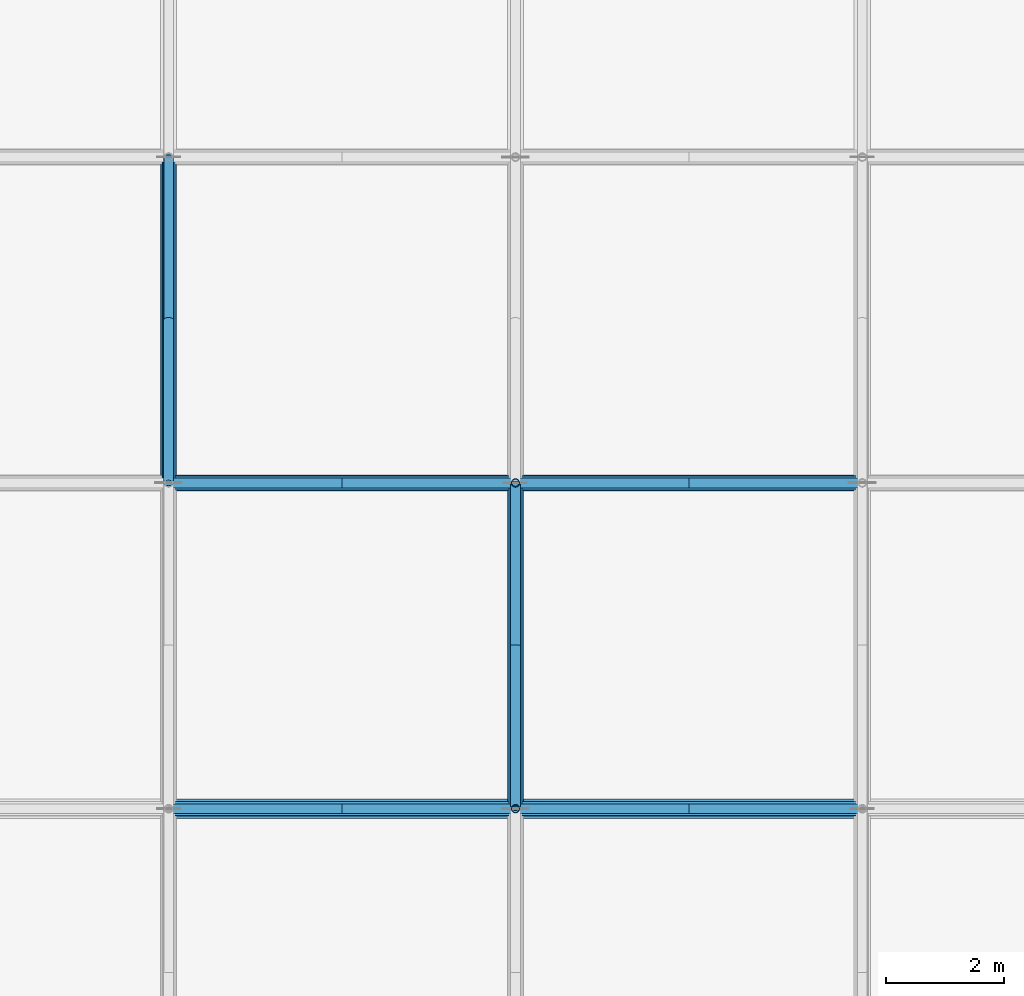
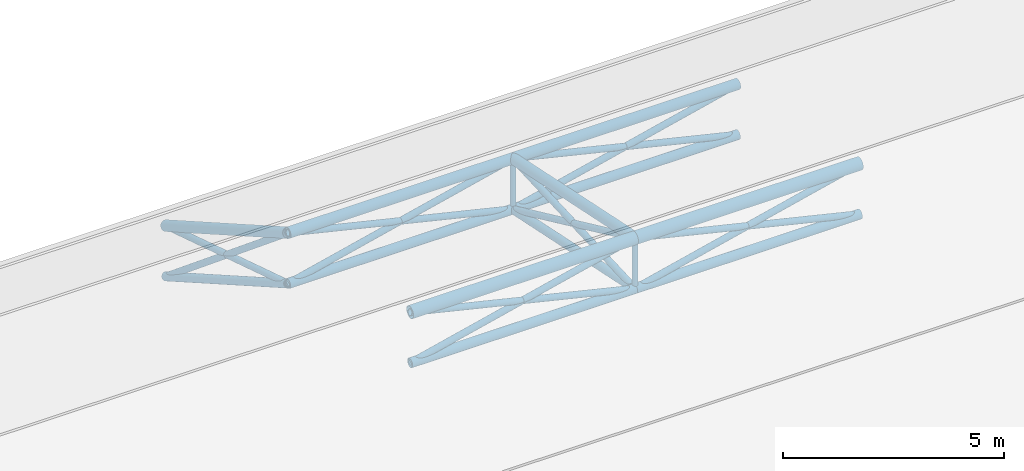
# One storey, part 9 of 82: 26 members.
"""IFC4 building model written with IfcOpenShell, lengths in metres."""

import ifcopenshell
import ifcopenshell.guid

model = None  # the IFC model being written
_history = None  # IfcOwnerHistory: only IFC2X3 demands one
_inside = {}  # id of a spatial element -> (the spatial element, [elements in it])
_under = {}  # id of a project, library or spatial element -> (it, [spatial elements below it])
_declared = {}  # id of a project -> (the project, [libraries it declares])
_typed = {}  # id of a type object -> (the type object, [elements of that type])
_made_of = {}  # id of a material, layer set ... -> (it, [elements and type objects made of it])


def new_model(schema):
    """Start an empty IFC model of exactly this schema.

    Asked for "IFC4X3", IfcOpenShell would pick the latest addendum, in which some entities
    have other attributes; the version numbers below select the first issue.
    IFC2X3 requires an IfcOwnerHistory on every rooted entity: one is made here for all.
    """
    global model, _history
    if schema == "IFC4X3":
        model = ifcopenshell.file(schema_version=(4, 3, 0, 0))
    else:
        model = ifcopenshell.file(schema=schema)
    _inside.clear()
    _under.clear()
    _declared.clear()
    _typed.clear()
    _made_of.clear()
    _history = None
    if model.schema == "IFC2X3":
        org = make("IfcOrganization", Name="unknown")
        user = make(
            "IfcPersonAndOrganization",
            ThePerson=make("IfcPerson", FamilyName="unknown"),
            TheOrganization=org,
        )
        app = make(
            "IfcApplication",
            ApplicationDeveloper=org,
            Version="unknown",
            ApplicationFullName="unknown",
            ApplicationIdentifier="unknown",
        )
        _history = make(
            "IfcOwnerHistory",
            OwningUser=user,
            OwningApplication=app,
            ChangeAction="ADDED",
            CreationDate=0,
        )
    return model


def make(cls, **values):
    """One entity of the class cls with the attributes given. An attribute that is None is left unset."""
    return model.create_entity(
        cls, **{name: value for name, value in values.items() if value is not None}
    )


def rooted(cls, **values):
    """An entity with a GlobalId (a new one), such as an element, a storey or a relation."""
    return make(cls, GlobalId=ifcopenshell.guid.new(), OwnerHistory=_history, **values)


def si_unit(unit_type, name, prefix=None):
    """IfcSIUnit, for example si_unit("LENGTHUNIT", "METRE", prefix="MILLI")."""
    return make("IfcSIUnit", UnitType=unit_type, Prefix=prefix, Name=name)


def assignment(units):
    """IfcUnitAssignment: the units of a project."""
    return None if units is None else make("IfcUnitAssignment", Units=units)


def point(xyz):
    """IfcCartesianPoint."""
    return None if xyz is None else make("IfcCartesianPoint", Coordinates=xyz)


def direction(xyz):
    """IfcDirection."""
    return None if xyz is None else make("IfcDirection", DirectionRatios=xyz)


def frame(location, z_axis=None, x_axis=None):
    """IfcAxis2Placement3D, a coordinate frame: its origin and axes. An axis left out is left unset."""
    return make(
        "IfcAxis2Placement3D",
        Location=point(location),
        Axis=direction(z_axis),
        RefDirection=direction(x_axis),
    )


def frame_2d(location, x_axis=None):
    """IfcAxis2Placement2D, a coordinate frame in the plane: its origin and x axis."""
    return make(
        "IfcAxis2Placement2D", Location=point(location), RefDirection=direction(x_axis)
    )


def origin():
    """The frame at (0, 0, 0) with its axes left unset."""
    return frame((0.0, 0.0, 0.0))


def origin_2d():
    """The frame at (0, 0) in the plane with its x axis left unset."""
    return frame_2d((0.0, 0.0))


def place(relative_to, where):
    """IfcLocalPlacement: puts the frame where relative to a parent placement (None: the world)."""
    return make(
        "IfcLocalPlacement", PlacementRelTo=relative_to, RelativePlacement=where
    )


def context(
    kind, dimensions, precision=None, world=None, true_north=None, identifier=None
):
    """IfcGeometricRepresentationContext, for example the 3D "Model" context."""
    return make(
        "IfcGeometricRepresentationContext",
        ContextIdentifier=identifier,
        ContextType=kind,
        CoordinateSpaceDimension=dimensions,
        Precision=precision,
        WorldCoordinateSystem=world,
        TrueNorth=true_north,
    )


def subcontext(parent, identifier, kind, view, scale=None):
    """IfcGeometricRepresentationSubContext, for example "Body" below "Model"."""
    return make(
        "IfcGeometricRepresentationSubContext",
        ContextIdentifier=identifier,
        ContextType=kind,
        ParentContext=parent,
        TargetScale=scale,
        TargetView=view,
    )


def project(units=None, contexts=None):
    """IfcProject with its units and contexts."""
    return rooted(
        "IfcProject",
        Name="project",
        RepresentationContexts=contexts,
        UnitsInContext=assignment(units),
    )


def spatial(cls, under=None, at=None, **own):
    """A site, building, storey or space (cls), placed at a placement, below another one or the project."""
    s = rooted(cls, ObjectPlacement=at, **own)
    if under is not None:
        _under.setdefault(under.id(), (under, []))[1].append(s)
    return s


def profile(cls, at=None, kind="AREA", **sizes):
    """A parametric profile (cls). Its sizes go by their IFC names, for example OverallWidth=200.0."""
    return make(cls, ProfileType=kind, Position=at, **sizes)


def hollow_circle(**sizes):
    """IfcCircleHollowProfileDef."""
    return profile("IfcCircleHollowProfileDef", **sizes)


def extrude(swept, where, along, depth):
    """IfcExtrudedAreaSolid: the profile swept, set in the frame where, extruded along a direction by depth."""
    return make(
        "IfcExtrudedAreaSolid",
        SweptArea=swept,
        Position=where,
        ExtrudedDirection=direction(along),
        Depth=depth,
    )


def shape(context_of_items, identifier, shape_type, items):
    """IfcShapeRepresentation: the items that make up one representation, for example the "Body"."""
    return make(
        "IfcShapeRepresentation",
        ContextOfItems=context_of_items,
        RepresentationIdentifier=identifier,
        RepresentationType=shape_type,
        Items=items,
    )


def material(Name=None, Category=None):
    """IfcMaterial."""
    return make("IfcMaterial", Name=Name, Category=Category)


def material_profile(
    of_material, cross_section, Name=None, Category=None, Priority=None
):
    """IfcMaterialProfile: a cross section and its material."""
    return make(
        "IfcMaterialProfile",
        Name=Name,
        Material=of_material,
        Profile=cross_section,
        Priority=Priority,
        Category=Category,
    )


def profile_set(profiles, Name=None, composite=None):
    """IfcMaterialProfileSet."""
    return make(
        "IfcMaterialProfileSet",
        Name=Name,
        MaterialProfiles=profiles,
        CompositeProfile=composite,
    )


def made_of(thing, what):
    """Note that an element or type object is made of a material, layer set ...; save() writes the relation."""
    if what is not None:
        _made_of.setdefault(what.id(), (what, []))[1].append(thing)
    return thing


def type_object(cls, material=None, **own):
    """A type object (cls), such as IfcWallType, which elements share."""
    return made_of(rooted(cls, **own), material)


def element(
    cls,
    number,
    at=None,
    inside=None,
    cuts=None,
    type_object=None,
    material=None,
    context=None,
    identifier="Body",
    shape_type=None,
    held_by="IfcProductDefinitionShape",
    body=None,
    shapes=None,
    **own,
):
    """One element of the class cls, such as IfcWall. Its Tag is "e" and its number.

    at: its placement. inside: the storey or other place that contains it. cuts: it is an
    opening in that element (IfcRelVoidsElement). A single representation is given by context,
    identifier, shape_type and body (its items); several are given by shapes. held_by: the class
    of the entity that holds the representations. save() writes the other relations.
    """
    e = rooted(cls, Tag="e%d" % number, ObjectPlacement=at, **own)
    if body is not None:
        shapes = [shape(context, identifier, shape_type, body)]
    if shapes is not None:
        e.Representation = make(held_by, Representations=shapes)
    if inside is not None:
        _inside.setdefault(inside.id(), (inside, []))[1].append(e)
    if cuts is not None:
        rooted(
            "IfcRelVoidsElement", RelatingBuildingElement=cuts, RelatedOpeningElement=e
        )
    if type_object is not None:
        _typed.setdefault(type_object.id(), (type_object, []))[1].append(e)
    return made_of(e, material)


def aggregate(whole, parts):
    """IfcRelAggregates: a whole, such as a stair, and the parts it consists of."""
    return rooted("IfcRelAggregates", RelatingObject=whole, RelatedObjects=parts)


def save(model, path):
    """Write the relations noted so far, then the file.

    IfcRelAggregates (storeys below a building ...), IfcRelContainedInSpatialStructure (elements
    in a storey), IfcRelDefinesByType, IfcRelAssociatesMaterial and IfcRelDeclares: one each for
    every whole, place, type object, material and project.
    """
    for whole, parts in _under.values():
        aggregate(whole, parts)
    for where, things in _inside.values():
        rooted(
            "IfcRelContainedInSpatialStructure",
            RelatedElements=things,
            RelatingStructure=where,
        )
    for kind, things in _typed.values():
        rooted("IfcRelDefinesByType", RelatedObjects=things, RelatingType=kind)
    for what, things in _made_of.values():
        rooted("IfcRelAssociatesMaterial", RelatedObjects=things, RelatingMaterial=what)
    for by, libraries in _declared.values():
        rooted("IfcRelDeclares", RelatingContext=by, RelatedDefinitions=libraries)
    model.write(path)


model = new_model("IFC4")

# Units and contexts
model_context = context("Model", 3, precision=1e-05, world=origin(), true_north=direction((0.0, 1.0)))
body_context = subcontext(model_context, "Body", "Model", "MODEL_VIEW")
ifc_project = project(units=[si_unit("LENGTHUNIT", "METRE"), si_unit("AREAUNIT", "SQUARE_METRE"), si_unit("VOLUMEUNIT", "CUBIC_METRE"), si_unit("PLANEANGLEUNIT", "RADIAN"), si_unit("MASSUNIT", "GRAM", prefix="KILO")], contexts=[model_context])

# Site, building, storey
site_placement = place(None, origin())
site = spatial("IfcSite", under=ifc_project, at=site_placement, CompositionType="ELEMENT")
building_placement = place(site_placement, origin())
building = spatial("IfcBuilding", under=site, at=building_placement, Name="Bramfleet General Hospital", CompositionType="ELEMENT")
storey_placement = place(building_placement, frame((0.0, 0.0, 34.199951171875)))
storey = spatial("IfcBuildingStorey", under=building, at=storey_placement, Name="Roof", CompositionType="ELEMENT", Elevation=34.199951171875)

# Members
ifc_material = material(Name="Steel S355", Category="steel")
ifc_material_profile_1 = material_profile(ifc_material, hollow_circle(Radius=0.122314453125, WallThickness=0.012451171875, at=origin_2d()), Name="CHS 244.5x12.5")
ifc_profile_set_1 = profile_set([ifc_material_profile_1], Name="Steel S355")
member_type_1 = type_object("IfcMemberType", Name="MEM-SF-BC1", PredefinedType="CHORD", material=ifc_profile_set_1)
for number, where, z_axis, x_axis, name in (
    (1, (62.5927734375, 33.800048828125, -12.25), (1.0, 0.0, 0.0), (0.0, 1.0, 0.0), "Space Frame Bottom Chord X 2-3"),
    (2, (62.5927734375, 39.316650390625, -13.402099609375), (1.0, 0.0, 0.0), (0.0, 1.0, 0.0), "Space Frame Bottom Chord X 2-4"),
):
    element("IfcMember", number, at=place(storey_placement, frame(where, z_axis=z_axis, x_axis=x_axis)), inside=storey, type_object=member_type_1, Name=name, PredefinedType="CHORD", context=body_context, shape_type="SweptSolid", body=[
        extrude(hollow_circle(Radius=0.122314453125, WallThickness=0.012451171875, at=origin_2d()), origin(), (0.0, 0.0, 1.0), 5.87158203125),
    ])
for number, where, z_axis, x_axis, name in (
    (3, (68.46435546875, 33.800048828125, -12.25), (1.0, 0.0, 0.0), (0.0, 1.0, 0.0), "Space Frame Bottom Chord X 3-3"),
    (4, (68.46435546875, 39.316650390625, -13.402099609375), (1.0, 0.0, 0.0), (0.0, 1.0, 0.0), "Space Frame Bottom Chord X 3-4"),
):
    element("IfcMember", number, at=place(storey_placement, frame(where, z_axis=z_axis, x_axis=x_axis)), inside=storey, type_object=member_type_1, Name=name, PredefinedType="CHORD", context=body_context, shape_type="SweptSolid", body=[
        extrude(hollow_circle(Radius=0.122314453125, WallThickness=0.012451171875, at=origin_2d()), origin(), (0.0, 0.0, 1.0), 5.871337890625),
    ])
ifc_material_profile_2 = material_profile(ifc_material, hollow_circle(Radius=0.109619140625, WallThickness=0.010009765625, at=origin_2d()), Name="CHS 219.1x10.0")
ifc_profile_set_2 = profile_set([ifc_material_profile_2], Name="Steel S355")
member_type_2 = type_object("IfcMemberType", Name="MEM-SF-BC2", PredefinedType="CHORD", material=ifc_profile_set_2)
member_1_placement = place(storey_placement, frame((62.5927734375, 39.316650390625, -13.402099609375), z_axis=(0.0, 0.868541026423, -0.49561727716), x_axis=(-1.0, 0.0, 0.0)))
element("IfcMember", 5, at=member_1_placement, inside=storey, type_object=member_type_2, Name="Space Frame Bottom Chord Y 2-4", PredefinedType="CHORD", context=body_context, shape_type="SweptSolid", body=[
    extrude(hollow_circle(Radius=0.109619140625, WallThickness=0.010009765625, at=origin_2d()), origin(), (0.0, 0.0, 1.0), 6.3515625),
])
member_2_placement = place(storey_placement, frame((68.46435546875, 33.800048828125, -12.25), z_axis=(0.0, 0.978880830839, -0.204431697678), x_axis=(-1.0, 0.0, 0.0)))
element("IfcMember", 6, at=member_2_placement, inside=storey, type_object=member_type_2, Name="Space Frame Bottom Chord Y 3-3", PredefinedType="CHORD", context=body_context, shape_type="SweptSolid", body=[
    extrude(hollow_circle(Radius=0.109619140625, WallThickness=0.010009765625, at=origin_2d()), origin(), (0.0, 0.0, 1.0), 5.6357421875),
])
ifc_material_profile_3 = material_profile(ifc_material, hollow_circle(Radius=0.084228515625, WallThickness=0.008056640625, at=origin_2d()), Name="CHS 168.3x8.0")
ifc_profile_set_3 = profile_set([ifc_material_profile_3], Name="Steel S355")
member_type_3 = type_object("IfcMemberType", Name="MEM-SF-DG1", PredefinedType="STRUT", material=ifc_profile_set_3)
for number, where, z_axis, x_axis, name in (
    (7, (62.5927734375, 33.800048828125, -12.25), (0.972725871839, 0.0, 0.2319577079), (0.0, 1.0, 0.0), "Space Frame Web Strut 2-3-E"),
    (8, (62.5927734375, 39.316650390625, -13.402099609375), (0.97273499705, 0.0, 0.23191943755), (0.0, 1.0, 0.0), "Space Frame Web Strut 2-4-E"),
):
    element("IfcMember", number, at=place(storey_placement, frame(where, z_axis=z_axis, x_axis=x_axis)), inside=storey, type_object=member_type_3, Name=name, PredefinedType="STRUT", context=body_context, shape_type="SweptSolid", body=[
        extrude(hollow_circle(Radius=0.084228515625, WallThickness=0.008056640625, at=origin_2d()), origin(), (0.0, 0.0, 1.0), 6.0361328125),
    ])
member_3_placement = place(storey_placement, frame((62.5927734375, 39.316650390625, -13.402099609375), z_axis=(0.0, 0.95329850344, -0.302029739163), x_axis=(-1.0, 0.0, 0.0)))
element("IfcMember", 9, at=member_3_placement, inside=storey, type_object=member_type_3, Name="Space Frame Web Strut 2-4-N", PredefinedType="STRUT", context=body_context, shape_type="SweptSolid", body=[
    extrude(hollow_circle(Radius=0.084228515625, WallThickness=0.008056640625, at=origin_2d()), origin(), (0.0, 0.0, 1.0), 5.786865234375),
])
member_4_placement = place(storey_placement, frame((62.5927734375, 44.833251953125, -16.550048828125), z_axis=(0.0, -0.77160287806, 0.636104550031), x_axis=(1.0, 0.0, 0.0)))
element("IfcMember", 10, at=member_4_placement, inside=storey, type_object=member_type_3, Name="Space Frame Web Strut 2-5-S", PredefinedType="STRUT", context=body_context, shape_type="SweptSolid", body=[
    extrude(hollow_circle(Radius=0.084228515625, WallThickness=0.008056640625, at=origin_2d()), origin(), (0.0, 0.0, 1.0), 7.1494140625),
])
member_5_placement = place(storey_placement, frame((68.46435546875, 33.800048828125, -12.25), z_axis=(-0.972725871839, 0.0, 0.2319577079), x_axis=(0.0, -1.0, 0.0)))
element("IfcMember", 11, at=member_5_placement, inside=storey, type_object=member_type_3, Name="Space Frame Web Strut 3-3-W", PredefinedType="STRUT", context=body_context, shape_type="SweptSolid", body=[
    extrude(hollow_circle(Radius=0.084228515625, WallThickness=0.008056640625, at=origin_2d()), origin(), (0.0, 0.0, 1.0), 6.0361328125),
])
member_6_placement = place(storey_placement, frame((68.46435546875, 33.800048828125, -12.25), z_axis=(0.97272369554, 0.0, 0.231966834127), x_axis=(0.0, 1.0, 0.0)))
element("IfcMember", 12, at=member_6_placement, inside=storey, type_object=member_type_3, Name="Space Frame Web Strut 3-3-E", PredefinedType="STRUT", context=body_context, shape_type="SweptSolid", body=[
    extrude(hollow_circle(Radius=0.084228515625, WallThickness=0.008056640625, at=origin_2d()), origin(), (0.0, 0.0, 1.0), 6.035888671875),
])
member_7_placement = place(storey_placement, frame((68.46435546875, 33.800048828125, -12.25), z_axis=(0.0, 0.998992645483, 0.044874204955), x_axis=(-1.0, 0.0, 0.0)))
element("IfcMember", 13, at=member_7_placement, inside=storey, type_object=member_type_3, Name="Space Frame Web Strut 3-3-N", PredefinedType="STRUT", context=body_context, shape_type="SweptSolid", body=[
    extrude(hollow_circle(Radius=0.084228515625, WallThickness=0.008056640625, at=origin_2d()), origin(), (0.0, 0.0, 1.0), 5.522216796875),
])
member_8_placement = place(storey_placement, frame((68.46435546875, 39.316650390625, -13.402099609375), z_axis=(-0.97273499705, 0.0, 0.23191943755), x_axis=(0.0, -1.0, 0.0)))
element("IfcMember", 14, at=member_8_placement, inside=storey, type_object=member_type_3, Name="Space Frame Web Strut 3-4-W", PredefinedType="STRUT", context=body_context, shape_type="SweptSolid", body=[
    extrude(hollow_circle(Radius=0.084228515625, WallThickness=0.008056640625, at=origin_2d()), origin(), (0.0, 0.0, 1.0), 6.0361328125),
])
member_9_placement = place(storey_placement, frame((68.46435546875, 39.316650390625, -13.402099609375), z_axis=(0.972732821449, 0.0, 0.231928562443), x_axis=(0.0, 1.0, 0.0)))
element("IfcMember", 15, at=member_9_placement, inside=storey, type_object=member_type_3, Name="Space Frame Web Strut 3-4-E", PredefinedType="STRUT", context=body_context, shape_type="SweptSolid", body=[
    extrude(hollow_circle(Radius=0.084228515625, WallThickness=0.008056640625, at=origin_2d()), origin(), (0.0, 0.0, 1.0), 6.035888671875),
])
member_10_placement = place(storey_placement, frame((68.46435546875, 39.316650390625, -13.402099609375), z_axis=(0.0, -0.907575768803, 0.419888346923), x_axis=(1.0, 0.0, 0.0)))
element("IfcMember", 16, at=member_10_placement, inside=storey, type_object=member_type_3, Name="Space Frame Web Strut 3-4-S", PredefinedType="STRUT", context=body_context, shape_type="SweptSolid", body=[
    extrude(hollow_circle(Radius=0.084228515625, WallThickness=0.008056640625, at=origin_2d()), origin(), (0.0, 0.0, 1.0), 6.078369140625),
])
for number, where, z_axis, x_axis, name in (
    (17, (74.335693359375, 33.800048828125, -12.25), (-0.97272369554, 0.0, 0.231966834127), (0.0, -1.0, 0.0), "Space Frame Web Strut 4-3-W"),
    (18, (74.335693359375, 39.316650390625, -13.402099609375), (-0.972732821449, 0.0, 0.231928562443), (0.0, -1.0, 0.0), "Space Frame Web Strut 4-4-W"),
):
    element("IfcMember", number, at=place(storey_placement, frame(where, z_axis=z_axis, x_axis=x_axis)), inside=storey, type_object=member_type_3, Name=name, PredefinedType="STRUT", context=body_context, shape_type="SweptSolid", body=[
        extrude(hollow_circle(Radius=0.084228515625, WallThickness=0.008056640625, at=origin_2d()), origin(), (0.0, 0.0, 1.0), 6.035888671875),
    ])
ifc_material_profile_4 = material_profile(ifc_material, hollow_circle(Radius=0.06982421875, WallThickness=0.008056640625, at=origin_2d()), Name="CHS 139.7x8.0")
ifc_profile_set_4 = profile_set([ifc_material_profile_4], Name="Steel S355")
member_type_4 = type_object("IfcMemberType", Name="MEM-SF-DG2", PredefinedType="STRUT", material=ifc_profile_set_4)
member_11_placement = place(storey_placement, frame((68.46435546875, 33.800048828125, -12.25), z_axis=(0.0, 0.0, 1.0), x_axis=(1.0, 0.0, 0.0)))
element("IfcMember", 19, at=member_11_placement, inside=storey, type_object=member_type_4, Name="Space Frame King Strut 3-3", PredefinedType="STRUT", context=body_context, shape_type="SweptSolid", body=[
    extrude(hollow_circle(Radius=0.06982421875, WallThickness=0.008056640625, at=origin_2d()), origin(), (0.0, 0.0, 1.0), 1.400146484375),
])
member_12_placement = place(storey_placement, frame((68.46435546875, 39.316650390625, -13.402099609375), z_axis=(0.0, 0.0, 1.0), x_axis=(1.0, 0.0, 0.0)))
element("IfcMember", 20, at=member_12_placement, inside=storey, type_object=member_type_4, Name="Space Frame King Strut 3-4", PredefinedType="STRUT", context=body_context, shape_type="SweptSolid", body=[
    extrude(hollow_circle(Radius=0.06982421875, WallThickness=0.008056640625, at=origin_2d()), origin(), (0.0, 0.0, 1.0), 1.39990234375),
])
ifc_material_profile_5 = material_profile(ifc_material, hollow_circle(Radius=0.161865234375, WallThickness=0.012451171875, at=origin_2d()), Name="CHS 323.9x12.5")
ifc_profile_set_5 = profile_set([ifc_material_profile_5], Name="Steel S355")
member_type_5 = type_object("IfcMemberType", Name="MEM-SF-TC1", PredefinedType="CHORD", material=ifc_profile_set_5)
member_13_placement = place(storey_placement, frame((62.5927734375, 33.800048828125, -10.849853515625), z_axis=(1.0, 0.0, 0.0), x_axis=(0.0, 1.0, 0.0)))
element("IfcMember", 21, at=member_13_placement, inside=storey, type_object=member_type_5, Name="Space Frame Top Chord X 2-3", PredefinedType="CHORD", context=body_context, shape_type="SweptSolid", body=[
    extrude(hollow_circle(Radius=0.161865234375, WallThickness=0.012451171875, at=origin_2d()), origin(), (0.0, 0.0, 1.0), 5.87158203125),
])
member_14_placement = place(storey_placement, frame((68.46435546875, 33.800048828125, -10.849853515625), z_axis=(1.0, 0.0, 0.0), x_axis=(0.0, 1.0, 0.0)))
element("IfcMember", 22, at=member_14_placement, inside=storey, type_object=member_type_5, Name="Space Frame Top Chord X 3-3", PredefinedType="CHORD", context=body_context, shape_type="SweptSolid", body=[
    extrude(hollow_circle(Radius=0.161865234375, WallThickness=0.012451171875, at=origin_2d()), origin(), (0.0, 0.0, 1.0), 5.871337890625),
])
ifc_material_profile_6 = material_profile(ifc_material, hollow_circle(Radius=0.136474609375, WallThickness=0.012451171875, at=origin_2d()), Name="CHS 273.0x12.5")
ifc_profile_set_6 = profile_set([ifc_material_profile_6], Name="Steel S355")
member_type_6 = type_object("IfcMemberType", Name="MEM-SF-TC2", PredefinedType="CHORD", material=ifc_profile_set_6)
member_15_placement = place(storey_placement, frame((62.5927734375, 39.316650390625, -12.002197265625), z_axis=(1.0, 0.0, 0.0), x_axis=(0.0, 1.0, 0.0)))
element("IfcMember", 23, at=member_15_placement, inside=storey, type_object=member_type_6, Name="Space Frame Top Chord X 2-4", PredefinedType="CHORD", context=body_context, shape_type="SweptSolid", body=[
    extrude(hollow_circle(Radius=0.136474609375, WallThickness=0.012451171875, at=origin_2d()), origin(), (0.0, 0.0, 1.0), 5.87158203125),
])
member_16_placement = place(storey_placement, frame((68.46435546875, 39.316650390625, -12.002197265625), z_axis=(1.0, 0.0, 0.0), x_axis=(0.0, 1.0, 0.0)))
element("IfcMember", 24, at=member_16_placement, inside=storey, type_object=member_type_6, Name="Space Frame Top Chord X 3-4", PredefinedType="CHORD", context=body_context, shape_type="SweptSolid", body=[
    extrude(hollow_circle(Radius=0.136474609375, WallThickness=0.012451171875, at=origin_2d()), origin(), (0.0, 0.0, 1.0), 5.871337890625),
])
member_17_placement = place(storey_placement, frame((62.5927734375, 39.316650390625, -12.002197265625), z_axis=(0.0, 0.868557572351, -0.495588280241), x_axis=(-1.0, 0.0, 0.0)))
element("IfcMember", 25, at=member_17_placement, inside=storey, type_object=member_type_6, Name="Space Frame Top Chord Y 2-4", PredefinedType="CHORD", context=body_context, shape_type="SweptSolid", body=[
    extrude(hollow_circle(Radius=0.136474609375, WallThickness=0.012451171875, at=origin_2d()), origin(), (0.0, 0.0, 1.0), 6.3515625),
])
member_18_placement = place(storey_placement, frame((68.46435546875, 33.800048828125, -10.849853515625), z_axis=(0.0, 0.97887216089, -0.204473207621), x_axis=(-1.0, 0.0, 0.0)))
element("IfcMember", 26, at=member_18_placement, inside=storey, type_object=member_type_6, Name="Space Frame Top Chord Y 3-3", PredefinedType="CHORD", context=body_context, shape_type="SweptSolid", body=[
    extrude(hollow_circle(Radius=0.136474609375, WallThickness=0.012451171875, at=origin_2d()), origin(), (0.0, 0.0, 1.0), 5.6357421875),
])

save(model, "model.ifc")
